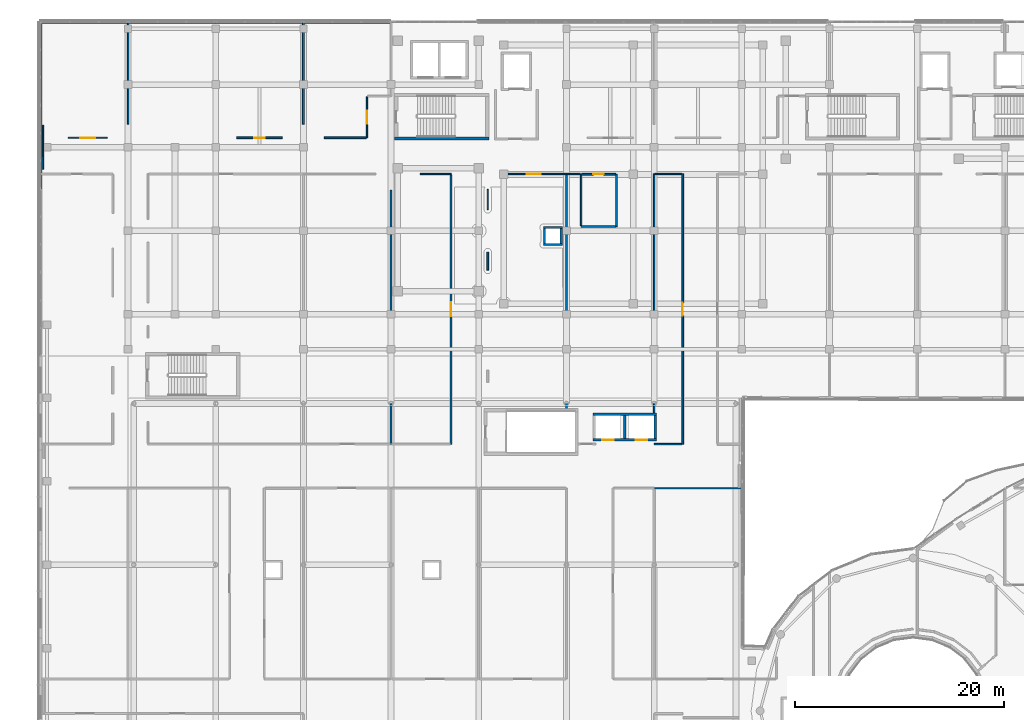
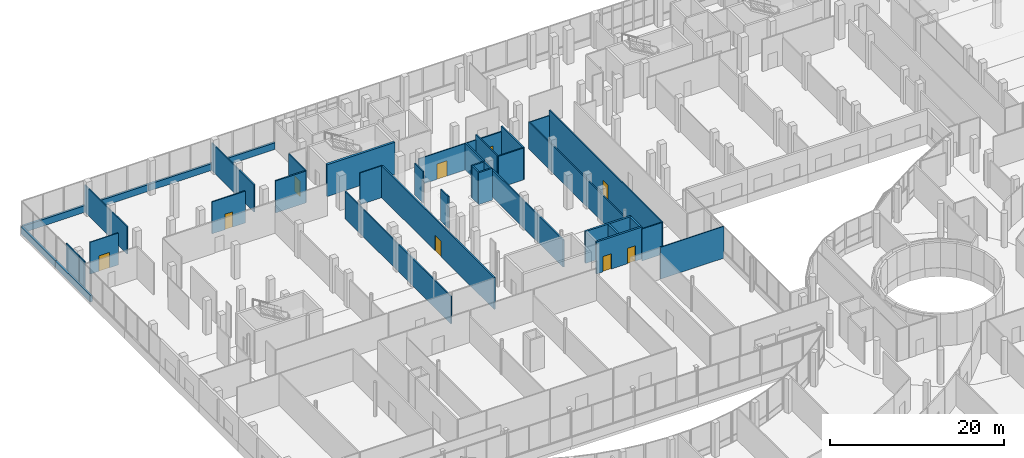
# One storey, part 135 of 155: 40 walls, 9 doors, 9 openings.
"""IFC4 building model written with IfcOpenShell, lengths in metres."""

from ifc_helpers import new_model, si_unit, direction, frame, frame_2d, origin, place, context, subcontext, project, spatial, rectangle, extrude, material, layer, layer_set, type_object, element, fill, save


model = new_model("IFC4")

# Units and contexts
model_context = context("Model", 3, precision=1e-05, world=origin(), true_north=direction((0.0, 1.0)))
body_context = subcontext(model_context, "Body", "Model", "MODEL_VIEW")
ifc_project = project(units=[si_unit("LENGTHUNIT", "METRE"), si_unit("AREAUNIT", "SQUARE_METRE"), si_unit("VOLUMEUNIT", "CUBIC_METRE"), si_unit("PLANEANGLEUNIT", "RADIAN"), si_unit("MASSUNIT", "GRAM", prefix="KILO")], contexts=[model_context])

# Site, building, storey
site_placement = place(None, origin())
site = spatial("IfcSite", under=ifc_project, at=site_placement, CompositionType="ELEMENT")
building_placement = place(site_placement, origin())
building = spatial("IfcBuilding", under=site, at=building_placement, Name="Selatvlak General Hospital", CompositionType="ELEMENT")
storey_placement = place(building_placement, frame((0.0, 0.0, 10.199951171875)))
storey = spatial("IfcBuildingStorey", under=building, at=storey_placement, Name="L02", CompositionType="ELEMENT", Elevation=10.199951171875)

# Walls
ifc_material_1 = material(Name="Precast concrete C40/50 - white Bauhaus spandrel", Category="concrete")
ifc_layer_1 = layer(ifc_material_1, 0.280029296875, Name="Precast concrete C40/50 - white Bauhaus spandrel", Category="concrete")
ifc_layer_set_1 = layer_set([ifc_layer_1], Name="Precast concrete C40/50 - white Bauhaus spandrel")
wall_type_1 = type_object("IfcWallType", Name="WALL-EW-02", PredefinedType="SOLIDWALL", material=ifc_layer_set_1)
wall_1_placement = place(storey_placement, frame((14.39990234375, 104.0009765625, 0.0), z_axis=(0.0, 0.0, 1.0), x_axis=(0.0, 1.0, 0.0)))
element("IfcWall", 1, at=wall_1_placement, inside=storey, type_object=wall_type_1, Name="L02 Bauhaus spandrel sill wall 0289", PredefinedType="SOLIDWALL", context=body_context, shape_type="SweptSolid", body=[
    extrude(rectangle(XDim=7.99609375, YDim=0.280029296875, at=frame_2d((3.998046875, 0.0))), origin(), (0.0, 0.0, 1.0), 0.93994140625),
])
wall_2_placement = place(storey_placement, frame((14.39990234375, 112.0009765625, 0.0), z_axis=(0.0, 0.0, 1.0), x_axis=(0.0, 1.0, 0.0)))
element("IfcWall", 2, at=wall_2_placement, inside=storey, type_object=wall_type_1, Name="L02 Bauhaus spandrel sill wall 0290", PredefinedType="SOLIDWALL", context=body_context, shape_type="SweptSolid", body=[
    extrude(rectangle(XDim=7.85791015625, YDim=0.280029296875, at=frame_2d((3.928955078125, 0.0))), origin(), (0.0, 0.0, 1.0), 0.93994140625),
])
wall_3_placement = place(storey_placement, frame((14.5400390625, 119.9990234375, 0.0), z_axis=(0.0, 0.0, 1.0), x_axis=(1.0, 0.0, 0.0)))
element("IfcWall", 3, at=wall_3_placement, inside=storey, type_object=wall_type_1, Name="L02 Bauhaus spandrel sill wall 0291", PredefinedType="SOLIDWALL", context=body_context, shape_type="SweptSolid", body=[
    extrude(rectangle(XDim=8.238037109375, YDim=0.280029296875, at=frame_2d((4.119140625, 0.0))), origin(), (0.0, 0.0, 1.0), 0.93994140625),
])
for number, where, z_axis, x_axis, name in (
    (4, (22.781982421875, 119.9990234375, 0.0), (0.0, 0.0, 1.0), (1.0, 0.0, 0.0), "L02 Bauhaus spandrel sill wall 0292"),
    (5, (31.162109375, 119.9990234375, 0.0), (0.0, 0.0, 1.0), (1.0, 0.0, 0.0), "L02 Bauhaus spandrel sill wall 0293"),
    (6, (39.5419921875, 119.9990234375, 0.0), (0.0, 0.0, 1.0), (1.0, 0.0, 0.0), "L02 Bauhaus spandrel sill wall 0294"),
):
    element("IfcWall", number, at=place(storey_placement, frame(where, z_axis=z_axis, x_axis=x_axis)), inside=storey, type_object=wall_type_1, Name=name, PredefinedType="SOLIDWALL", context=body_context, shape_type="SweptSolid", body=[
        extrude(rectangle(XDim=8.3759765625, YDim=0.280029296875, at=frame_2d((4.18798828125, 0.0))), origin(), (0.0, 0.0, 1.0), 0.93994140625),
    ])
ifc_material_2 = material(Name="Concrete C40/50", Category="concrete")
ifc_layer_2 = layer(ifc_material_2, 0.199951171875, Name="Concrete C40/50", Category="concrete")
ifc_layer_set_2 = layer_set([ifc_layer_2], Name="Concrete C40/50")
wall_type_2 = type_object("IfcWallType", Name="WALL-IW-02", PredefinedType="SOLIDWALL", material=ifc_layer_set_2)
wall_4_placement = place(storey_placement, frame((62.60009765625, 98.699951171875, 0.0), z_axis=(0.0, 0.0, 1.0), x_axis=(1.0, 0.0, 0.0)))
element("IfcWall", 7, at=wall_4_placement, inside=storey, type_object=wall_type_2, Name="Service riser 1 shaft wall L02 S", PredefinedType="SOLIDWALL", context=body_context, shape_type="SweptSolid", body=[
    extrude(rectangle(XDim=1.7998046875, YDim=0.199951171875, at=frame_2d((0.89990234375, 0.0))), origin(), (0.0, 0.0, 1.0), 4.4599609375),
])
wall_5_placement = place(storey_placement, frame((64.300048828125, 98.800048828125, 0.0), z_axis=(0.0, 0.0, 1.0), x_axis=(0.0, 1.0, 0.0)))
element("IfcWall", 8, at=wall_5_placement, inside=storey, type_object=wall_type_2, Name="Service riser 1 shaft wall L02 E", PredefinedType="SOLIDWALL", context=body_context, shape_type="SweptSolid", body=[
    extrude(rectangle(XDim=1.39990234375, YDim=0.199951171875, at=frame_2d((0.699951171875, 0.0))), origin(), (0.0, 0.0, 1.0), 4.4599609375),
])
wall_6_placement = place(storey_placement, frame((64.39990234375, 100.300048828125, 0.0), z_axis=(0.0, 0.0, 1.0), x_axis=(-1.0, 0.0, 0.0)))
element("IfcWall", 9, at=wall_6_placement, inside=storey, type_object=wall_type_2, Name="Service riser 1 shaft wall L02 N", PredefinedType="SOLIDWALL", context=body_context, shape_type="SweptSolid", body=[
    extrude(rectangle(XDim=1.7998046875, YDim=0.199951171875, at=frame_2d((0.89990234375, 0.0))), origin(), (0.0, 0.0, 1.0), 4.4599609375),
])
wall_7_placement = place(storey_placement, frame((62.699951171875, 100.199951171875, 0.0), z_axis=(0.0, 0.0, 1.0), x_axis=(0.0, -1.0, 0.0)))
element("IfcWall", 10, at=wall_7_placement, inside=storey, type_object=wall_type_2, Name="Service riser 1 shaft wall L02 W", PredefinedType="SOLIDWALL", context=body_context, shape_type="SweptSolid", body=[
    extrude(rectangle(XDim=1.39990234375, YDim=0.199951171875, at=frame_2d((0.699951171875, 0.0))), origin(), (0.0, 0.0, 1.0), 4.4599609375),
])
ifc_material_3 = material(Name="Acoustic gypsum stud partition")
ifc_layer_3 = layer(ifc_material_3, 0.179931640625, Name="Acoustic gypsum stud partition")
ifc_layer_set_3 = layer_set([ifc_layer_3], Name="Acoustic gypsum stud partition")
wall_type_3 = type_object("IfcWallType", Name="WALL-PT-01", PredefinedType="PARTITIONING", material=ifc_layer_set_3)
wall_8_placement = place(storey_placement, frame((69.60009765625, 105.419921875, 0.0), z_axis=(0.0, 0.0, 1.0), x_axis=(0.0, -1.0, 0.0)))
element("IfcWall", 11, at=wall_8_placement, inside=storey, type_object=wall_type_3, Name="L02 clinical partition PT-L02-1032", PredefinedType="PARTITIONING", context=body_context, shape_type="SweptSolid", body=[
    extrude(rectangle(XDim=5.02001953125, YDim=0.179931640625, at=frame_2d((2.510009765625, 0.0))), origin(), (0.0, 0.0, 1.0), 4.4599609375),
])

# Wall, opening, door
wall_9_placement = place(storey_placement, frame((66.263916015625, 105.419921875, 0.0), z_axis=(0.0, 0.0, 1.0), x_axis=(1.0, 0.0, 0.0)))
wall_9 = element("IfcWall", 12, at=wall_9_placement, inside=storey, type_object=wall_type_3, Name="L02 clinical partition PT-L02-1035", PredefinedType="PARTITIONING", context=body_context, shape_type="SweptSolid", body=[
    extrude(rectangle(XDim=3.25, YDim=0.179931640625, at=frame_2d((1.625, 0.0))), origin(), (0.0, 0.0, 1.0), 3.7099609375),
])
opening_1_placement = place(wall_9_placement, frame((1.125, 0.0, 0.0)))
opening_1 = element("IfcOpeningElement", 13, at=opening_1_placement, cuts=wall_9, Name="Opening D-03", PredefinedType="OPENING", context=body_context, shape_type="SweptSolid", body=[
    extrude(rectangle(XDim=1.0, YDim=2.10009765625, at=frame_2d((0.5, 1.050048828125))), frame((0.0, 0.099853515625, 0.0), z_axis=(0.0, -1.0, 0.0), x_axis=(1.0, 0.0, 0.0)), (0.0, 0.0, 1.0), 0.199951171875),
])
ifc_material_4 = material(Name="Accessible WC door")
door_type_1 = type_object("IfcDoorType", Name="DOOR-D-03", OperationType="NOTDEFINED", PredefinedType="DOOR", material=ifc_material_4)
door_1_placement = place(opening_1_placement, origin())
door_1 = element("IfcDoor", 14, at=door_1_placement, inside=storey, type_object=door_type_1, Name="L02 Accessible WC door", OperationType="SINGLE_SWING_RIGHT", OverallHeight=2.10009765625, OverallWidth=1.0, PredefinedType="DOOR", context=body_context, shape_type="SweptSolid", body=[
    extrude(rectangle(XDim=1.0, YDim=2.10009765625, at=frame_2d((0.5, 1.050048828125))), frame((0.0, 0.02490234375, 0.0), z_axis=(0.0, -1.0, 0.0), x_axis=(1.0, 0.0, 0.0)), (0.0, 0.0, 1.0), 0.050048828125),
])
fill(opening_1, door_1)

wall_10_placement = place(storey_placement, frame((53.739990234375, 105.384033203125, 0.0), z_axis=(0.0, 0.0, 1.0), x_axis=(0.0, -1.0, 0.0)))
wall_10 = element("IfcWall", 15, at=wall_10_placement, inside=storey, type_object=wall_type_3, Name="L02 clinical partition PT-L02-1265", PredefinedType="PARTITIONING", context=body_context, shape_type="SweptSolid", body=[
    extrude(rectangle(XDim=25.823974609375, YDim=0.179931640625, at=frame_2d((12.912109375, 0.0))), origin(), (0.0, 0.0, 1.0), 4.4599609375),
])
opening_2_placement = place(wall_10_placement, frame((12.237060546875, 0.0, 0.0)))
opening_2 = element("IfcOpeningElement", 16, at=opening_2_placement, cuts=wall_10, Name="Opening D-10", PredefinedType="OPENING", context=body_context, shape_type="SweptSolid", body=[
    extrude(rectangle(XDim=1.35009765625, YDim=2.14990234375, at=frame_2d((0.675048828125, 1.074951171875))), frame((0.0, 0.099853515625, 0.0), z_axis=(0.0, -1.0, 0.0), x_axis=(1.0, 0.0, 0.0)), (0.0, 0.0, 1.0), 0.199951171875),
])
ifc_material_5 = material(Name="Single patient bed door")
door_type_2 = type_object("IfcDoorType", Name="DOOR-D-10", OperationType="NOTDEFINED", PredefinedType="DOOR", material=ifc_material_5)
door_2_placement = place(opening_2_placement, origin())
door_2 = element("IfcDoor", 17, at=door_2_placement, inside=storey, type_object=door_type_2, Name="L02 Electrophysiology Lab 44 door", OperationType="SINGLE_SWING_LEFT", OverallHeight=2.14990234375, OverallWidth=1.35009765625, PredefinedType="DOOR", context=body_context, shape_type="SweptSolid", body=[
    extrude(rectangle(XDim=1.35009765625, YDim=2.14990234375, at=frame_2d((0.675048828125, 1.074951171875))), frame((0.0, 0.02490234375, 0.0), z_axis=(0.0, -1.0, 0.0), x_axis=(1.0, 0.0, 0.0)), (0.0, 0.0, 1.0), 0.050048828125),
])
fill(opening_2, door_2)

# Walls
wall_11_placement = place(storey_placement, frame((64.800048828125, 105.384033203125, 0.0), z_axis=(0.0, 0.0, 1.0), x_axis=(0.0, -1.0, 0.0)))
element("IfcWall", 18, at=wall_11_placement, inside=storey, type_object=wall_type_3, Name="L02 clinical partition PT-L02-1270", PredefinedType="PARTITIONING", context=body_context, shape_type="SweptSolid", body=[
    extrude(rectangle(XDim=22.43701171875, YDim=0.179931640625, at=frame_2d((11.218505859375, 0.0))), origin(), (0.0, 0.0, 1.0), 3.81005859375),
])
wall_12_placement = place(storey_placement, frame((39.60009765625, 119.95703125, 0.0), z_axis=(0.0, 0.0, 1.0), x_axis=(0.0, -1.0, 0.0)))
element("IfcWall", 19, at=wall_12_placement, inside=storey, type_object=wall_type_3, Name="L02 clinical partition PT-L02-1330", PredefinedType="PARTITIONING", context=body_context, shape_type="SweptSolid", body=[
    extrude(rectangle(XDim=9.7470703125, YDim=0.179931640625, at=frame_2d((4.87353515625, 0.0))), origin(), (0.0, 0.0, 1.0), 3.81005859375),
])
wall_13_placement = place(storey_placement, frame((45.634033203125, 108.909912109375, 0.0), z_axis=(0.0, 0.0, 1.0), x_axis=(-1.0, 0.0, 0.0)))
element("IfcWall", 20, at=wall_13_placement, inside=storey, type_object=wall_type_3, Name="L02 clinical partition PT-L02-1335", PredefinedType="PARTITIONING", context=body_context, shape_type="SweptSolid", body=[
    extrude(rectangle(XDim=4.02294921875, YDim=0.179931640625, at=frame_2d((2.011474609375, 0.0))), origin(), (0.0, 0.0, 1.0), 4.4599609375),
])
ifc_layer_4 = layer(ifc_material_3, 0.1650390625, Name="Acoustic gypsum stud partition")
ifc_layer_set_4 = layer_set([ifc_layer_4], Name="Acoustic gypsum stud partition")
wall_type_4 = type_object("IfcWallType", Name="WALL-PT-02", PredefinedType="PARTITIONING", material=ifc_layer_set_4)
wall_14_placement = place(storey_placement, frame((69.513916015625, 100.39990234375, 0.0), z_axis=(0.0, 0.0, 1.0), x_axis=(-1.0, 0.0, 0.0)))
element("IfcWall", 21, at=wall_14_placement, inside=storey, type_object=wall_type_4, Name="L02 clinical partition PT-L02-1033", PredefinedType="PARTITIONING", context=body_context, shape_type="SweptSolid", body=[
    extrude(rectangle(XDim=3.31396484375, YDim=0.1650390625, at=frame_2d((1.656982421875, 0.0))), origin(), (0.0, 0.0, 1.0), 4.4599609375),
])
wall_15_placement = place(storey_placement, frame((14.639892578125, 107.10009765625, 0.0), z_axis=(0.0, 0.0, 1.0), x_axis=(0.0, -1.0, 0.0)))
element("IfcWall", 22, at=wall_15_placement, inside=storey, type_object=wall_type_4, Name="L02 clinical partition PT-L02-1246", PredefinedType="PARTITIONING", context=body_context, shape_type="SweptSolid", body=[
    extrude(rectangle(XDim=1.218994140625, YDim=0.1650390625, at=frame_2d((0.609375, 0.0))), origin(), (0.0, 0.0, 1.0), 4.4599609375),
])
wall_16_placement = place(storey_placement, frame((48.0, 103.887939453125, 0.0), z_axis=(0.0, 0.0, 1.0), x_axis=(0.0, -1.0, 0.0)))
element("IfcWall", 23, at=wall_16_placement, inside=storey, type_object=wall_type_4, Name="L02 clinical partition PT-L02-1261", PredefinedType="PARTITIONING", context=body_context, shape_type="SweptSolid", body=[
    extrude(rectangle(XDim=24.327880859375, YDim=0.1650390625, at=frame_2d((12.1640625, 0.0))), origin(), (0.0, 0.0, 1.0), 3.81005859375),
])

# Wall, opening, door
wall_17_placement = place(storey_placement, frame((37.589111328125, 108.909912109375, 0.0), z_axis=(0.0, 0.0, 1.0), x_axis=(-1.0, 0.0, 0.0)))
wall_17 = element("IfcWall", 24, at=wall_17_placement, inside=storey, type_object=wall_type_4, Name="L02 clinical partition PT-L02-1331", PredefinedType="PARTITIONING", context=body_context, shape_type="SweptSolid", body=[
    extrude(rectangle(XDim=4.378173828125, YDim=0.1650390625, at=frame_2d((2.18896484375, 0.0))), origin(), (0.0, 0.0, 1.0), 4.4599609375),
])
opening_3_placement = place(wall_17_placement, frame((1.68896484375, 0.0, 0.0)))
opening_3 = element("IfcOpeningElement", 25, at=opening_3_placement, cuts=wall_17, Name="Opening D-21", PredefinedType="OPENING", context=body_context, shape_type="SweptSolid", body=[
    extrude(rectangle(XDim=1.0, YDim=2.14990234375, at=frame_2d((0.5, 1.074951171875))), frame((0.0, 0.092529296875, 0.0), z_axis=(0.0, -1.0, 0.0), x_axis=(1.0, 0.0, 0.0)), (0.0, 0.0, 1.0), 0.18505859375),
])
ifc_material_6 = material(Name="Laboratory fire door")
door_type_3 = type_object("IfcDoorType", Name="DOOR-D-21", OperationType="NOTDEFINED", PredefinedType="DOOR", material=ifc_material_6)
door_3_placement = place(opening_3_placement, origin())
door_3 = element("IfcDoor", 26, at=door_3_placement, inside=storey, type_object=door_type_3, Name="L02 Post Anaesthesia Recovery Bay 63 door", OperationType="SINGLE_SWING_RIGHT", OverallHeight=2.14990234375, OverallWidth=1.0, PredefinedType="DOOR", context=body_context, shape_type="SweptSolid", body=[
    extrude(rectangle(XDim=1.0, YDim=2.14990234375, at=frame_2d((0.5, 1.074951171875))), frame((0.0, 0.02490234375, 0.0), z_axis=(0.0, -1.0, 0.0), x_axis=(1.0, 0.0, 0.0)), (0.0, 0.0, 1.0), 0.050048828125),
])
fill(opening_3, door_3)

# Walls
ifc_layer_5 = layer(ifc_material_3, 0.14990234375, Name="Acoustic gypsum stud partition")
ifc_layer_set_5 = layer_set([ifc_layer_5], Name="Acoustic gypsum stud partition")
wall_type_5 = type_object("IfcWallType", Name="WALL-PT-03", PredefinedType="PARTITIONING", material=ifc_layer_set_5)
wall_18_placement = place(storey_placement, frame((57.260009765625, 96.235107421875, 0.0), z_axis=(0.0, 0.0, 1.0), x_axis=(0.0, 1.0, 0.0)))
element("IfcWall", 27, at=wall_18_placement, inside=storey, type_object=wall_type_5, Name="L02 clinical partition PT-L02-1267", PredefinedType="PARTITIONING", context=body_context, shape_type="SweptSolid", body=[
    extrude(rectangle(XDim=1.72998046875, YDim=0.14990234375, at=frame_2d((0.864990234375, 0.0))), origin(), (0.0, 0.0, 1.0), 4.4599609375),
])
wall_19_placement = place(storey_placement, frame((73.199951171875, 105.43994140625, 0.0), z_axis=(0.0, 0.0, 1.0), x_axis=(0.0, -1.0, 0.0)))
element("IfcWall", 28, at=wall_19_placement, inside=storey, type_object=wall_type_5, Name="L02 clinical partition PT-L02-1272", PredefinedType="PARTITIONING", context=body_context, shape_type="SweptSolid", body=[
    extrude(rectangle(XDim=22.892822265625, YDim=0.14990234375, at=frame_2d((11.4462890625, 0.0))), origin(), (0.0, 0.0, 1.0), 3.81005859375),
])

# Wall, opening, door
wall_20_placement = place(storey_placement, frame((75.93994140625, 105.43994140625, 0.0), z_axis=(0.0, 0.0, 1.0), x_axis=(0.0, -1.0, 0.0)))
wall_20 = element("IfcWall", 29, at=wall_20_placement, inside=storey, type_object=wall_type_5, Name="L02 clinical partition PT-L02-1282", PredefinedType="PARTITIONING", context=body_context, shape_type="SweptSolid", body=[
    extrude(rectangle(XDim=25.8798828125, YDim=0.14990234375, at=frame_2d((12.93994140625, 0.0))), origin(), (0.0, 0.0, 1.0), 4.4599609375),
])
opening_4_placement = place(wall_20_placement, frame((12.31494140625, 0.0, 0.0)))
opening_4 = element("IfcOpeningElement", 30, at=opening_4_placement, cuts=wall_20, Name="Opening D-08", PredefinedType="OPENING", context=body_context, shape_type="SweptSolid", body=[
    extrude(rectangle(XDim=1.25, YDim=2.14990234375, at=frame_2d((0.625, 1.074951171875))), frame((0.0, 0.0849609375, 0.0), z_axis=(0.0, -1.0, 0.0), x_axis=(1.0, 0.0, 0.0)), (0.0, 0.0, 1.0), 0.169921875),
])
ifc_material_7 = material(Name="Diagnostic treatment door")
door_type_4 = type_object("IfcDoorType", Name="DOOR-D-08", OperationType="NOTDEFINED", PredefinedType="DOOR", material=ifc_material_7)
door_4_placement = place(opening_4_placement, origin())
door_4 = element("IfcDoor", 31, at=door_4_placement, inside=storey, type_object=door_type_4, Name="L02 Anaesthetic Pre-Op Assessment 48 door", OperationType="SINGLE_SWING_LEFT", OverallHeight=2.14990234375, OverallWidth=1.25, PredefinedType="DOOR", context=body_context, shape_type="SweptSolid", body=[
    extrude(rectangle(XDim=1.25, YDim=2.14990234375, at=frame_2d((0.625, 1.074951171875))), frame((0.0, 0.02490234375, 0.0), z_axis=(0.0, -1.0, 0.0), x_axis=(1.0, 0.0, 0.0)), (0.0, 0.0, 1.0), 0.050048828125),
])
fill(opening_4, door_4)

# Walls
wall_21_placement = place(storey_placement, frame((22.800048828125, 119.95703125, 0.0), z_axis=(0.0, 0.0, 1.0), x_axis=(0.0, -1.0, 0.0)))
element("IfcWall", 32, at=wall_21_placement, inside=storey, type_object=wall_type_5, Name="L02 clinical partition PT-L02-1327", PredefinedType="PARTITIONING", context=body_context, shape_type="SweptSolid", body=[
    extrude(rectangle(XDim=9.7470703125, YDim=0.14990234375, at=frame_2d((4.87353515625, 0.0))), origin(), (0.0, 0.0, 1.0), 3.81005859375),
])
ifc_material_8 = material(Name="Moisture-resistant clinical partition")
ifc_layer_6 = layer(ifc_material_8, 0.135009765625, Name="Moisture-resistant clinical partition")
ifc_layer_set_6 = layer_set([ifc_layer_6], Name="Moisture-resistant clinical partition")
wall_type_6 = type_object("IfcWallType", Name="WALL-PT-04", PredefinedType="PARTITIONING", material=ifc_layer_set_6)
wall_22_placement = place(storey_placement, frame((66.199951171875, 100.47900390625, 0.0), z_axis=(0.0, 0.0, 1.0), x_axis=(0.0, 1.0, 0.0)))
element("IfcWall", 33, at=wall_22_placement, inside=storey, type_object=wall_type_6, Name="L02 clinical partition PT-L02-1034", PredefinedType="PARTITIONING", context=body_context, shape_type="SweptSolid", body=[
    extrude(rectangle(XDim=4.94091796875, YDim=0.135009765625, at=frame_2d((2.470458984375, 0.0))), origin(), (0.0, 0.0, 1.0), 4.4599609375),
])
wall_23_placement = place(storey_placement, frame((57.260009765625, 102.034912109375, 0.0), z_axis=(0.0, 0.0, 1.0), x_axis=(0.0, 1.0, 0.0)))
element("IfcWall", 34, at=wall_23_placement, inside=storey, type_object=wall_type_6, Name="L02 clinical partition PT-L02-1268", PredefinedType="PARTITIONING", context=body_context, shape_type="SweptSolid", body=[
    extrude(rectangle(XDim=1.93017578125, YDim=0.135009765625, at=frame_2d((0.965087890625, 0.0))), origin(), (0.0, 0.0, 1.0), 4.4599609375),
])
wall_24_placement = place(storey_placement, frame((75.868896484375, 79.56005859375, 0.0), z_axis=(0.0, 0.0, 1.0), x_axis=(-1.0, 0.0, 0.0)))
element("IfcWall", 35, at=wall_24_placement, inside=storey, type_object=wall_type_6, Name="L02 clinical partition PT-L02-1283", PredefinedType="PARTITIONING", context=body_context, shape_type="SweptSolid", body=[
    extrude(rectangle(XDim=2.658935546875, YDim=0.135009765625, at=frame_2d((1.32958984375, 0.0))), origin(), (0.0, 0.0, 1.0), 4.4599609375),
])

# Wall, opening, door
wall_25_placement = place(storey_placement, frame((20.7890625, 108.909912109375, 0.0), z_axis=(0.0, 0.0, 1.0), x_axis=(-1.0, 0.0, 0.0)))
wall_25 = element("IfcWall", 36, at=wall_25_placement, inside=storey, type_object=wall_type_6, Name="L02 clinical partition PT-L02-1328", PredefinedType="PARTITIONING", context=body_context, shape_type="SweptSolid", body=[
    extrude(rectangle(XDim=3.72802734375, YDim=0.135009765625, at=frame_2d((1.864013671875, 0.0))), origin(), (0.0, 0.0, 1.0), 4.4599609375),
])
opening_5_placement = place(wall_25_placement, frame((1.138916015625, 0.0, 0.0)))
opening_5 = element("IfcOpeningElement", 37, at=opening_5_placement, cuts=wall_25, Name="Opening D-12", PredefinedType="OPENING", context=body_context, shape_type="SweptSolid", body=[
    extrude(rectangle(XDim=1.449951171875, YDim=2.14990234375, at=frame_2d((0.72509765625, 1.074951171875))), frame((0.0, 0.077392578125, 0.0), z_axis=(0.0, -1.0, 0.0), x_axis=(1.0, 0.0, 0.0)), (0.0, 0.0, 1.0), 0.155029296875),
])
ifc_material_9 = material(Name="Isolation anteroom door")
door_type_5 = type_object("IfcDoorType", Name="DOOR-D-12", OperationType="NOTDEFINED", PredefinedType="DOOR", material=ifc_material_9)
door_5_placement = place(opening_5_placement, origin())
door_5 = element("IfcDoor", 38, at=door_5_placement, inside=storey, type_object=door_type_5, Name="L02 Electrophysiology Lab 62 door", OperationType="SINGLE_SWING_LEFT", OverallHeight=2.14990234375, OverallWidth=1.449951171875, PredefinedType="DOOR", context=body_context, shape_type="SweptSolid", body=[
    extrude(rectangle(XDim=1.449951171875, YDim=2.14990234375, at=frame_2d((0.72509765625, 1.074951171875))), frame((0.0, 0.02490234375, 0.0), z_axis=(0.0, -1.0, 0.0), x_axis=(1.0, 0.0, 0.0)), (0.0, 0.0, 1.0), 0.050048828125),
])
fill(opening_5, door_5)

# Walls
ifc_layer_7 = layer(ifc_material_8, 0.1201171875, Name="Moisture-resistant clinical partition")
ifc_layer_set_7 = layer_set([ifc_layer_7], Name="Moisture-resistant clinical partition")
wall_type_7 = type_object("IfcWallType", Name="WALL-PT-05", PredefinedType="PARTITIONING", material=ifc_layer_set_7)
wall_26_placement = place(storey_placement, frame((73.199951171875, 75.340087890625, 0.0), z_axis=(0.0, 0.0, 1.0), x_axis=(1.0, 0.0, 0.0)))
element("IfcWall", 39, at=wall_26_placement, inside=storey, type_object=wall_type_7, Name="L02 clinical partition PT-L02-1144", PredefinedType="PARTITIONING", context=body_context, shape_type="SweptSolid", body=[
    extrude(rectangle(XDim=8.39599609375, YDim=0.1201171875, at=frame_2d((4.197998046875, 0.0))), origin(), (0.0, 0.0, 1.0), 4.4599609375),
])
wall_27_placement = place(storey_placement, frame((50.784912109375, 105.43994140625, 0.0), z_axis=(0.0, 0.0, 1.0), x_axis=(1.0, 0.0, 0.0)))
element("IfcWall", 40, at=wall_27_placement, inside=storey, type_object=wall_type_7, Name="L02 clinical partition PT-L02-1264", PredefinedType="PARTITIONING", context=body_context, shape_type="SweptSolid", body=[
    extrude(rectangle(XDim=2.955078125, YDim=0.1201171875, at=frame_2d((1.4775390625, 0.0))), origin(), (0.0, 0.0, 1.0), 4.4599609375),
])

# Wall, opening, door
wall_28_placement = place(storey_placement, frame((58.534912109375, 105.43994140625, 0.0), z_axis=(0.0, 0.0, 1.0), x_axis=(1.0, 0.0, 0.0)))
wall_28 = element("IfcWall", 41, at=wall_28_placement, inside=storey, type_object=wall_type_7, Name="L02 clinical partition PT-L02-1269", PredefinedType="PARTITIONING", context=body_context, shape_type="SweptSolid", body=[
    extrude(rectangle(XDim=6.26513671875, YDim=0.1201171875, at=frame_2d((3.132568359375, 0.0))), origin(), (0.0, 0.0, 1.0), 3.7099609375),
])
opening_6_placement = place(wall_28_placement, frame((2.48291015625, 0.0, 0.0)))
opening_6 = element("IfcOpeningElement", 42, at=opening_6_placement, cuts=wall_28, Name="Opening D-24", PredefinedType="OPENING", context=body_context, shape_type="SweptSolid", body=[
    extrude(rectangle(XDim=1.300048828125, YDim=2.14990234375, at=frame_2d((0.64990234375, 1.074951171875))), frame((0.0, 0.070068359375, 0.0), z_axis=(0.0, -1.0, 0.0), x_axis=(1.0, 0.0, 0.0)), (0.0, 0.0, 1.0), 0.14013671875),
])
ifc_material_10 = material(Name="Oncology bay door")
door_type_6 = type_object("IfcDoorType", Name="DOOR-D-24", OperationType="NOTDEFINED", PredefinedType="DOOR", material=ifc_material_10)
door_6_placement = place(opening_6_placement, origin())
door_6 = element("IfcDoor", 43, at=door_6_placement, inside=storey, type_object=door_type_6, Name="L02 Post Anaesthesia Recovery Bay 45 door", OperationType="SINGLE_SWING_RIGHT", OverallHeight=2.14990234375, OverallWidth=1.300048828125, PredefinedType="DOOR", context=body_context, shape_type="SweptSolid", body=[
    extrude(rectangle(XDim=1.300048828125, YDim=2.14990234375, at=frame_2d((0.64990234375, 1.074951171875))), frame((0.0, 0.02490234375, 0.0), z_axis=(0.0, -1.0, 0.0), x_axis=(1.0, 0.0, 0.0)), (0.0, 0.0, 1.0), 0.050048828125),
])
fill(opening_6, door_6)

# Walls
wall_29_placement = place(storey_placement, frame((64.800048828125, 105.43994140625, 0.0), z_axis=(0.0, 0.0, 1.0), x_axis=(1.0, 0.0, 0.0)))
element("IfcWall", 44, at=wall_29_placement, inside=storey, type_object=wall_type_7, Name="L02 clinical partition PT-L02-1274", PredefinedType="PARTITIONING", context=body_context, shape_type="SweptSolid", body=[
    extrude(rectangle(XDim=1.320068359375, YDim=0.1201171875, at=frame_2d((0.66015625, 0.0))), origin(), (0.0, 0.0, 1.0), 3.7099609375),
])
wall_30_placement = place(storey_placement, frame((73.27099609375, 105.43994140625, 0.0), z_axis=(0.0, 0.0, 1.0), x_axis=(1.0, 0.0, 0.0)))
element("IfcWall", 45, at=wall_30_placement, inside=storey, type_object=wall_type_7, Name="L02 clinical partition PT-L02-1284", PredefinedType="PARTITIONING", context=body_context, shape_type="SweptSolid", body=[
    extrude(rectangle(XDim=2.597900390625, YDim=0.1201171875, at=frame_2d((1.298828125, 0.0))), origin(), (0.0, 0.0, 1.0), 3.7099609375),
])
wall_31_placement = place(storey_placement, frame((14.639892578125, 110.118896484375, 0.0), z_axis=(0.0, 0.0, 1.0), x_axis=(0.0, -1.0, 0.0)))
element("IfcWall", 46, at=wall_31_placement, inside=storey, type_object=wall_type_7, Name="L02 clinical partition PT-L02-1329", PredefinedType="PARTITIONING", context=body_context, shape_type="SweptSolid", body=[
    extrude(rectangle(XDim=3.018798828125, YDim=0.1201171875, at=frame_2d((1.50927734375, 0.0))), origin(), (0.0, 0.0, 1.0), 4.4599609375),
])

# Wall, opening, door
wall_32_placement = place(storey_placement, frame((45.68994140625, 112.840087890625, 0.0), z_axis=(0.0, 0.0, 1.0), x_axis=(0.0, -1.0, 0.0)))
wall_32 = element("IfcWall", 47, at=wall_32_placement, inside=storey, type_object=wall_type_7, Name="L02 clinical partition PT-L02-1334", PredefinedType="PARTITIONING", context=body_context, shape_type="SweptSolid", body=[
    extrude(rectangle(XDim=3.93017578125, YDim=0.1201171875, at=frame_2d((1.965087890625, 0.0))), origin(), (0.0, 0.0, 1.0), 4.4599609375),
])
opening_7_placement = place(wall_32_placement, frame((1.364990234375, 0.0, 0.0)))
opening_7 = element("IfcOpeningElement", 48, at=opening_7_placement, cuts=wall_32, Name="Opening D-23", PredefinedType="OPENING", context=body_context, shape_type="SweptSolid", body=[
    extrude(rectangle(XDim=1.199951171875, YDim=2.14990234375, at=frame_2d((0.60009765625, 1.074951171875))), frame((0.0, 0.070068359375, 0.0), z_axis=(0.0, -1.0, 0.0), x_axis=(1.0, 0.0, 0.0)), (0.0, 0.0, 1.0), 0.14013671875),
])
ifc_material_11 = material(Name="Endoscopy clinical door")
door_type_7 = type_object("IfcDoorType", Name="DOOR-D-23", OperationType="NOTDEFINED", PredefinedType="DOOR", material=ifc_material_11)
door_7_placement = place(opening_7_placement, origin())
door_7 = element("IfcDoor", 49, at=door_7_placement, inside=storey, type_object=door_type_7, Name="L02 Surgical Day Admission Lounge 64 door", OperationType="SINGLE_SWING_LEFT", OverallHeight=2.14990234375, OverallWidth=1.199951171875, PredefinedType="DOOR", context=body_context, shape_type="SweptSolid", body=[
    extrude(rectangle(XDim=1.199951171875, YDim=2.14990234375, at=frame_2d((0.60009765625, 1.074951171875))), frame((0.0, 0.02490234375, 0.0), z_axis=(0.0, -1.0, 0.0), x_axis=(1.0, 0.0, 0.0)), (0.0, 0.0, 1.0), 0.050048828125),
])
fill(opening_7, door_7)

# Wall
ifc_material_12 = material(Name="Concrete C45/55", Category="concrete")
ifc_layer_8 = layer(ifc_material_12, 0.300048828125, Name="Concrete C45/55", Category="concrete")
ifc_layer_set_8 = layer_set([ifc_layer_8], Name="Concrete C45/55")
wall_type_8 = type_object("IfcWallType", Name="WALL-SW-02", PredefinedType="SHEAR", material=ifc_layer_set_8)
wall_33_placement = place(storey_placement, frame((48.340087890625, 108.840087890625, 0.0), z_axis=(0.0, 0.0, 1.0), x_axis=(1.0, 0.0, 0.0)))
element("IfcWall", 50, at=wall_33_placement, inside=storey, type_object=wall_type_8, Name="ST-01 core shear wall L02 S", PredefinedType="SHEAR", context=body_context, shape_type="SweptSolid", body=[
    extrude(rectangle(XDim=9.02001953125, YDim=0.300048828125, at=frame_2d((4.510009765625, 0.0))), origin(), (0.0, 0.0, 1.0), 4.4599609375),
])

# Wall, openings, doors
ifc_layer_9 = layer(ifc_material_2, 0.25, Name="Concrete C40/50", Category="concrete")
ifc_layer_set_9 = layer_set([ifc_layer_9], Name="Concrete C40/50")
wall_type_9 = type_object("IfcWallType", Name="WALL-SW-03", PredefinedType="SHEAR", material=ifc_layer_set_9)
wall_34_placement = place(storey_placement, frame((67.35009765625, 79.97509765625, 0.0), z_axis=(0.0, 0.0, 1.0), x_axis=(1.0, 0.0, 0.0)))
wall_34 = element("IfcWall", 51, at=wall_34_placement, inside=storey, type_object=wall_type_9, Name="Lift LP-01-LP-02 shaft wall L02 S", PredefinedType="SHEAR", context=body_context, shape_type="SweptSolid", body=[
    extrude(rectangle(XDim=6.099853515625, YDim=0.25, at=frame_2d((3.0498046875, 0.0))), origin(), (0.0, 0.0, 1.0), 4.4599609375),
])
opening_8_placement = place(wall_34_placement, frame((0.89990234375, 0.0, 0.0)))
opening_8 = element("IfcOpeningElement", 52, at=opening_8_placement, cuts=wall_34, Name="Opening LD-P1", PredefinedType="OPENING", context=body_context, shape_type="SweptSolid", body=[
    extrude(rectangle(XDim=1.10009765625, YDim=2.14990234375, at=frame_2d((0.550048828125, 1.074951171875))), frame((0.0, 0.135009765625, 0.0), z_axis=(0.0, -1.0, 0.0), x_axis=(1.0, 0.0, 0.0)), (0.0, 0.0, 1.0), 0.27001953125),
])
opening_9_placement = place(wall_34_placement, frame((4.10009765625, 0.0, 0.0)))
opening_9 = element("IfcOpeningElement", 53, at=opening_9_placement, cuts=wall_34, Name="Opening LD-P1", PredefinedType="OPENING", context=body_context, shape_type="SweptSolid", body=[
    extrude(rectangle(XDim=1.10009765625, YDim=2.14990234375, at=frame_2d((0.550048828125, 1.074951171875))), frame((0.0, 0.135009765625, 0.0), z_axis=(0.0, -1.0, 0.0), x_axis=(1.0, 0.0, 0.0)), (0.0, 0.0, 1.0), 0.27001953125),
])
ifc_material_13 = material(Name="Stainless steel passenger lift landing door", Category="steel")
door_type_8 = type_object("IfcDoorType", Name="DOOR-LD-P1", OperationType="DOUBLE_DOOR_SLIDING", PredefinedType="DOOR", material=ifc_material_13)
door_8_placement = place(opening_8_placement, origin())
door_8 = element("IfcDoor", 54, at=door_8_placement, inside=storey, type_object=door_type_8, Name="Lift LP-01 sliding landing door on L02", OperationType="DOUBLE_DOOR_SLIDING", OverallHeight=2.14990234375, OverallWidth=1.10009765625, PredefinedType="DOOR", context=body_context, shape_type="SweptSolid", body=[
    extrude(rectangle(XDim=1.10009765625, YDim=2.14990234375, at=frame_2d((0.550048828125, 1.074951171875))), frame((0.0, 0.02490234375, 0.0), z_axis=(0.0, -1.0, 0.0), x_axis=(1.0, 0.0, 0.0)), (0.0, 0.0, 1.0), 0.050048828125),
])
fill(opening_8, door_8)
door_9_placement = place(opening_9_placement, origin())
door_9 = element("IfcDoor", 55, at=door_9_placement, inside=storey, type_object=door_type_8, Name="Lift LP-02 sliding landing door on L02", OperationType="DOUBLE_DOOR_SLIDING", OverallHeight=2.14990234375, OverallWidth=1.10009765625, PredefinedType="DOOR", context=body_context, shape_type="SweptSolid", body=[
    extrude(rectangle(XDim=1.10009765625, YDim=2.14990234375, at=frame_2d((0.550048828125, 1.074951171875))), frame((0.0, 0.02490234375, 0.0), z_axis=(0.0, -1.0, 0.0), x_axis=(1.0, 0.0, 0.0)), (0.0, 0.0, 1.0), 0.050048828125),
])
fill(opening_9, door_9)

# Walls
wall_35_placement = place(storey_placement, frame((73.324951171875, 80.10009765625, 0.0), z_axis=(0.0, 0.0, 1.0), x_axis=(0.0, 1.0, 0.0)))
element("IfcWall", 56, at=wall_35_placement, inside=storey, type_object=wall_type_9, Name="Lift LP-01-LP-02 shaft wall L02 E", PredefinedType="SHEAR", context=body_context, shape_type="SweptSolid", body=[
    extrude(rectangle(XDim=2.199951171875, YDim=0.25, at=frame_2d((1.10009765625, 0.0))), origin(), (0.0, 0.0, 1.0), 4.4599609375),
])
wall_36_placement = place(storey_placement, frame((73.449951171875, 82.425048828125, 0.0), z_axis=(0.0, 0.0, 1.0), x_axis=(-1.0, 0.0, 0.0)))
element("IfcWall", 57, at=wall_36_placement, inside=storey, type_object=wall_type_9, Name="Lift LP-01-LP-02 shaft wall L02 N", PredefinedType="SHEAR", context=body_context, shape_type="SweptSolid", body=[
    extrude(rectangle(XDim=6.099853515625, YDim=0.25, at=frame_2d((3.0498046875, 0.0))), origin(), (0.0, 0.0, 1.0), 4.4599609375),
])
wall_37_placement = place(storey_placement, frame((70.39990234375, 80.10009765625, 0.0), z_axis=(0.0, 0.0, 1.0), x_axis=(0.0, 1.0, 0.0)))
element("IfcWall", 58, at=wall_37_placement, inside=storey, type_object=wall_type_9, Name="Lift LP-01-LP-02 dividing shaft wall L02", PredefinedType="SHEAR", context=body_context, shape_type="SweptSolid", body=[
    extrude(rectangle(XDim=2.199951171875, YDim=0.25, at=frame_2d((1.10009765625, 0.0))), origin(), (0.0, 0.0, 1.0), 4.4599609375),
])

save(model, "model.ifc")
